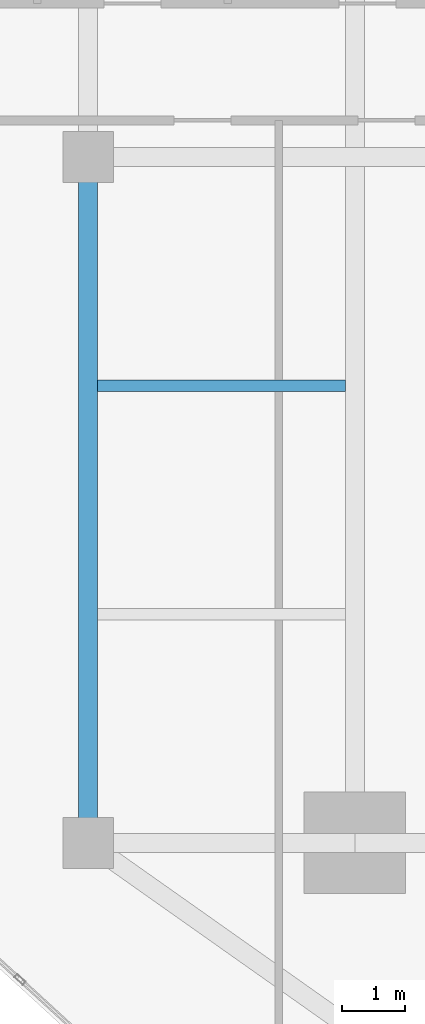
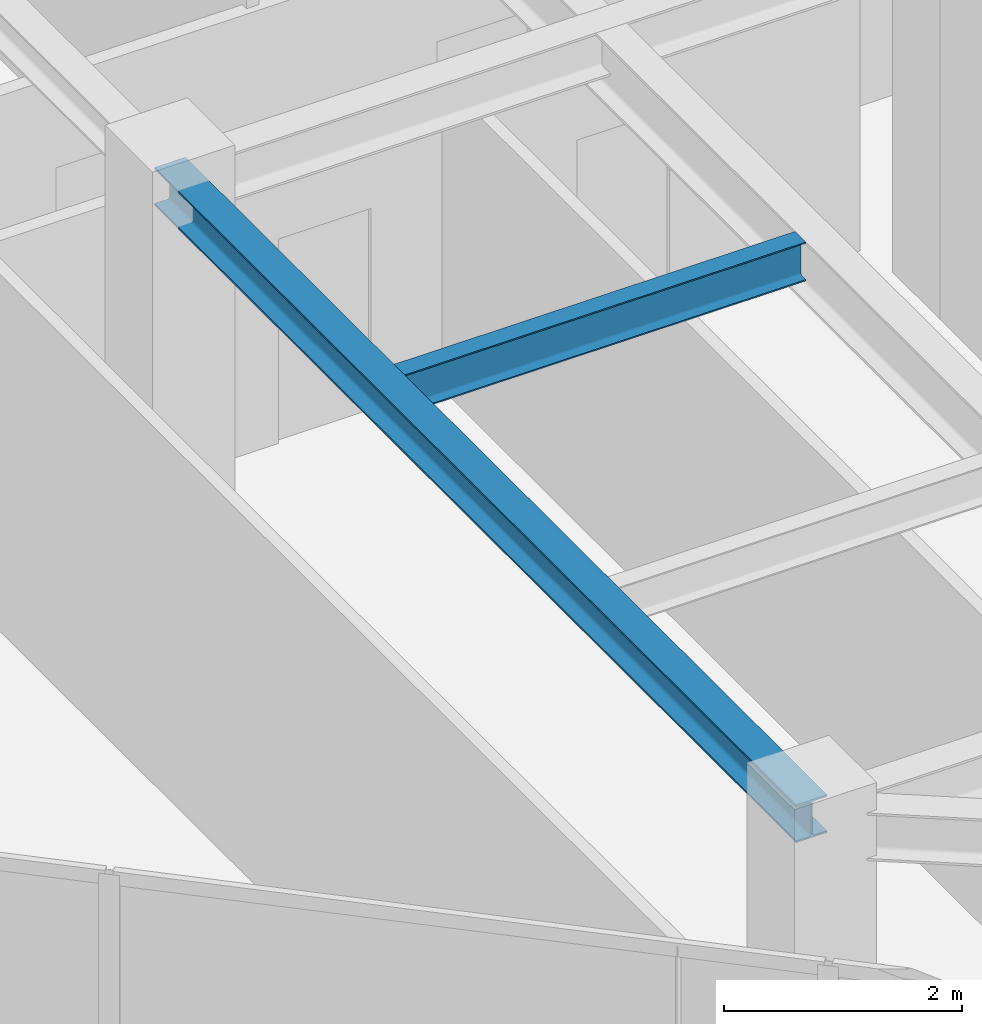
# One storey, part 7 of 26: 2 beams.
"""IFC4 building model written with IfcOpenShell, lengths in metres."""

import ifcopenshell
import ifcopenshell.guid

model = None  # the IFC model being written
_history = None  # IfcOwnerHistory: only IFC2X3 demands one
_inside = {}  # id of a spatial element -> (the spatial element, [elements in it])
_under = {}  # id of a project, library or spatial element -> (it, [spatial elements below it])
_declared = {}  # id of a project -> (the project, [libraries it declares])
_typed = {}  # id of a type object -> (the type object, [elements of that type])
_made_of = {}  # id of a material, layer set ... -> (it, [elements and type objects made of it])


def new_model(schema):
    """Start an empty IFC model of exactly this schema.

    Asked for "IFC4X3", IfcOpenShell would pick the latest addendum, in which some entities
    have other attributes; the version numbers below select the first issue.
    IFC2X3 requires an IfcOwnerHistory on every rooted entity: one is made here for all.
    """
    global model, _history
    if schema == "IFC4X3":
        model = ifcopenshell.file(schema_version=(4, 3, 0, 0))
    else:
        model = ifcopenshell.file(schema=schema)
    _inside.clear()
    _under.clear()
    _declared.clear()
    _typed.clear()
    _made_of.clear()
    _history = None
    if model.schema == "IFC2X3":
        org = make("IfcOrganization", Name="unknown")
        user = make(
            "IfcPersonAndOrganization",
            ThePerson=make("IfcPerson", FamilyName="unknown"),
            TheOrganization=org,
        )
        app = make(
            "IfcApplication",
            ApplicationDeveloper=org,
            Version="unknown",
            ApplicationFullName="unknown",
            ApplicationIdentifier="unknown",
        )
        _history = make(
            "IfcOwnerHistory",
            OwningUser=user,
            OwningApplication=app,
            ChangeAction="ADDED",
            CreationDate=0,
        )
    return model


def make(cls, **values):
    """One entity of the class cls with the attributes given. An attribute that is None is left unset."""
    return model.create_entity(
        cls, **{name: value for name, value in values.items() if value is not None}
    )


def rooted(cls, **values):
    """An entity with a GlobalId (a new one), such as an element, a storey or a relation."""
    return make(cls, GlobalId=ifcopenshell.guid.new(), OwnerHistory=_history, **values)


def si_unit(unit_type, name, prefix=None):
    """IfcSIUnit, for example si_unit("LENGTHUNIT", "METRE", prefix="MILLI")."""
    return make("IfcSIUnit", UnitType=unit_type, Prefix=prefix, Name=name)


def assignment(units):
    """IfcUnitAssignment: the units of a project."""
    return None if units is None else make("IfcUnitAssignment", Units=units)


def point(xyz):
    """IfcCartesianPoint."""
    return None if xyz is None else make("IfcCartesianPoint", Coordinates=xyz)


def direction(xyz):
    """IfcDirection."""
    return None if xyz is None else make("IfcDirection", DirectionRatios=xyz)


def frame(location, z_axis=None, x_axis=None):
    """IfcAxis2Placement3D, a coordinate frame: its origin and axes. An axis left out is left unset."""
    return make(
        "IfcAxis2Placement3D",
        Location=point(location),
        Axis=direction(z_axis),
        RefDirection=direction(x_axis),
    )


def frame_2d(location, x_axis=None):
    """IfcAxis2Placement2D, a coordinate frame in the plane: its origin and x axis."""
    return make(
        "IfcAxis2Placement2D", Location=point(location), RefDirection=direction(x_axis)
    )


def origin():
    """The frame at (0, 0, 0) with its axes left unset."""
    return frame((0.0, 0.0, 0.0))


def origin_2d():
    """The frame at (0, 0) in the plane with its x axis left unset."""
    return frame_2d((0.0, 0.0))


def place(relative_to, where):
    """IfcLocalPlacement: puts the frame where relative to a parent placement (None: the world)."""
    return make(
        "IfcLocalPlacement", PlacementRelTo=relative_to, RelativePlacement=where
    )


def context(
    kind, dimensions, precision=None, world=None, true_north=None, identifier=None
):
    """IfcGeometricRepresentationContext, for example the 3D "Model" context."""
    return make(
        "IfcGeometricRepresentationContext",
        ContextIdentifier=identifier,
        ContextType=kind,
        CoordinateSpaceDimension=dimensions,
        Precision=precision,
        WorldCoordinateSystem=world,
        TrueNorth=true_north,
    )


def subcontext(parent, identifier, kind, view, scale=None):
    """IfcGeometricRepresentationSubContext, for example "Body" below "Model"."""
    return make(
        "IfcGeometricRepresentationSubContext",
        ContextIdentifier=identifier,
        ContextType=kind,
        ParentContext=parent,
        TargetScale=scale,
        TargetView=view,
    )


def project(units=None, contexts=None):
    """IfcProject with its units and contexts."""
    return rooted(
        "IfcProject",
        Name="project",
        RepresentationContexts=contexts,
        UnitsInContext=assignment(units),
    )


def spatial(cls, under=None, at=None, **own):
    """A site, building, storey or space (cls), placed at a placement, below another one or the project."""
    s = rooted(cls, ObjectPlacement=at, **own)
    if under is not None:
        _under.setdefault(under.id(), (under, []))[1].append(s)
    return s


def profile(cls, at=None, kind="AREA", **sizes):
    """A parametric profile (cls). Its sizes go by their IFC names, for example OverallWidth=200.0."""
    return make(cls, ProfileType=kind, Position=at, **sizes)


def i_section(**sizes):
    """IfcIShapeProfileDef."""
    return profile("IfcIShapeProfileDef", **sizes)


def extrude(swept, where, along, depth):
    """IfcExtrudedAreaSolid: the profile swept, set in the frame where, extruded along a direction by depth."""
    return make(
        "IfcExtrudedAreaSolid",
        SweptArea=swept,
        Position=where,
        ExtrudedDirection=direction(along),
        Depth=depth,
    )


def shape(context_of_items, identifier, shape_type, items):
    """IfcShapeRepresentation: the items that make up one representation, for example the "Body"."""
    return make(
        "IfcShapeRepresentation",
        ContextOfItems=context_of_items,
        RepresentationIdentifier=identifier,
        RepresentationType=shape_type,
        Items=items,
    )


def source(mapping_origin, context_of_items, identifier, shape_type, items):
    """IfcRepresentationMap: a shape defined once, which mapped items show again and again."""
    return make(
        "IfcRepresentationMap",
        MappingOrigin=mapping_origin,
        MappedRepresentation=shape(context_of_items, identifier, shape_type, items),
    )


def transform(
    local_origin,
    x_axis=None,
    y_axis=None,
    z_axis=None,
    scale=None,
    scale2=None,
    scale3=None,
    uniform=True,
):
    """IfcCartesianTransformationOperator3D, or its non-uniform kind. x_axis, y_axis, z_axis: its Axis1, 2, 3."""
    if uniform:
        return make(
            "IfcCartesianTransformationOperator3D",
            Axis1=direction(x_axis),
            Axis2=direction(y_axis),
            LocalOrigin=point(local_origin),
            Scale=scale,
            Axis3=direction(z_axis),
        )
    return make(
        "IfcCartesianTransformationOperator3DnonUniform",
        Axis1=direction(x_axis),
        Axis2=direction(y_axis),
        LocalOrigin=point(local_origin),
        Scale=scale,
        Axis3=direction(z_axis),
        Scale2=scale2,
        Scale3=scale3,
    )


def mapped(mapping_source, mapping_target):
    """IfcMappedItem: shows the shape of a source again, moved by a transform."""
    return make(
        "IfcMappedItem", MappingSource=mapping_source, MappingTarget=mapping_target
    )


def material(Name=None, Category=None):
    """IfcMaterial."""
    return make("IfcMaterial", Name=Name, Category=Category)


def material_profile(
    of_material, cross_section, Name=None, Category=None, Priority=None
):
    """IfcMaterialProfile: a cross section and its material."""
    return make(
        "IfcMaterialProfile",
        Name=Name,
        Material=of_material,
        Profile=cross_section,
        Priority=Priority,
        Category=Category,
    )


def profile_set(profiles, Name=None, composite=None):
    """IfcMaterialProfileSet."""
    return make(
        "IfcMaterialProfileSet",
        Name=Name,
        MaterialProfiles=profiles,
        CompositeProfile=composite,
    )


def made_of(thing, what):
    """Note that an element or type object is made of a material, layer set ...; save() writes the relation."""
    if what is not None:
        _made_of.setdefault(what.id(), (what, []))[1].append(thing)
    return thing


def type_object(cls, material=None, **own):
    """A type object (cls), such as IfcWallType, which elements share."""
    return made_of(rooted(cls, **own), material)


def type_shapes(of_type, sources):
    """Give a type object the sources (RepresentationMaps) that its elements show as mapped items."""
    of_type.RepresentationMaps = sources


def element(
    cls,
    number,
    at=None,
    inside=None,
    cuts=None,
    type_object=None,
    material=None,
    context=None,
    identifier="Body",
    shape_type=None,
    held_by="IfcProductDefinitionShape",
    body=None,
    shapes=None,
    **own,
):
    """One element of the class cls, such as IfcWall. Its Tag is "e" and its number.

    at: its placement. inside: the storey or other place that contains it. cuts: it is an
    opening in that element (IfcRelVoidsElement). A single representation is given by context,
    identifier, shape_type and body (its items); several are given by shapes. held_by: the class
    of the entity that holds the representations. save() writes the other relations.
    """
    e = rooted(cls, Tag="e%d" % number, ObjectPlacement=at, **own)
    if body is not None:
        shapes = [shape(context, identifier, shape_type, body)]
    if shapes is not None:
        e.Representation = make(held_by, Representations=shapes)
    if inside is not None:
        _inside.setdefault(inside.id(), (inside, []))[1].append(e)
    if cuts is not None:
        rooted(
            "IfcRelVoidsElement", RelatingBuildingElement=cuts, RelatedOpeningElement=e
        )
    if type_object is not None:
        _typed.setdefault(type_object.id(), (type_object, []))[1].append(e)
    return made_of(e, material)


def aggregate(whole, parts):
    """IfcRelAggregates: a whole, such as a stair, and the parts it consists of."""
    return rooted("IfcRelAggregates", RelatingObject=whole, RelatedObjects=parts)


def save(model, path):
    """Write the relations noted so far, then the file.

    IfcRelAggregates (storeys below a building ...), IfcRelContainedInSpatialStructure (elements
    in a storey), IfcRelDefinesByType, IfcRelAssociatesMaterial and IfcRelDeclares: one each for
    every whole, place, type object, material and project.
    """
    for whole, parts in _under.values():
        aggregate(whole, parts)
    for where, things in _inside.values():
        rooted(
            "IfcRelContainedInSpatialStructure",
            RelatedElements=things,
            RelatingStructure=where,
        )
    for kind, things in _typed.values():
        rooted("IfcRelDefinesByType", RelatedObjects=things, RelatingType=kind)
    for what, things in _made_of.values():
        rooted("IfcRelAssociatesMaterial", RelatedObjects=things, RelatingMaterial=what)
    for by, libraries in _declared.values():
        rooted("IfcRelDeclares", RelatingContext=by, RelatedDefinitions=libraries)
    model.write(path)


model = new_model("IFC4")

# Units and contexts
model_context = context("Model", 3, precision=1e-05, world=origin(), true_north=direction((0.0, 1.0)))
body_context = subcontext(model_context, "Body", "Model", "MODEL_VIEW")
ifc_project = project(units=[si_unit("LENGTHUNIT", "METRE"), si_unit("AREAUNIT", "SQUARE_METRE"), si_unit("VOLUMEUNIT", "CUBIC_METRE"), si_unit("PLANEANGLEUNIT", "RADIAN"), si_unit("MASSUNIT", "GRAM", prefix="KILO")], contexts=[model_context])

# Site, building, storey
site_placement = place(None, origin())
site = spatial("IfcSite", under=ifc_project, at=site_placement, CompositionType="ELEMENT")
building_placement = place(site_placement, origin())
building = spatial("IfcBuilding", under=site, at=building_placement, Name="Krantzveldt Concourse Tower", CompositionType="ELEMENT")
storey_placement = place(building_placement, frame((0.0, 0.0, 219.14990234375)))
storey = spatial("IfcBuildingStorey", under=building, at=storey_placement, Name="L53", CompositionType="ELEMENT", Elevation=219.14990234375)

# Beams
ifc_material = material(Name="Steel S355JR", Category="steel")
ifc_material_profile_1 = material_profile(ifc_material, i_section(OverallWidth=0.300048828125, OverallDepth=0.389892578125, WebThickness=0.010986328125, FlangeThickness=0.01904296875, FilletRadius=0.027099609375, at=origin_2d()), Name="Steel S355JR", Category="steel")
ifc_profile_set_1 = profile_set([ifc_material_profile_1], Name="Steel S355JR - HEA 400")
beam_type_1 = type_object("IfcBeamType", Name="BM-SP-HEA400", PredefinedType="SPANDREL", material=ifc_profile_set_1)
shared_shape_1 = source(origin(), body_context, "Body", "SweptSolid", [
    extrude(i_section(OverallWidth=0.300048828125, OverallDepth=0.389892578125, WebThickness=0.010986328125, FlangeThickness=0.01904296875, FilletRadius=0.027099609375, at=origin_2d()), origin(), (0.0, 0.0, 1.0), 10.800048828125),
])
type_shapes(beam_type_1, [shared_shape_1])
beam_1_placement = place(storey_placement, frame((21.0, 15.89990234375, 3.47509765625), z_axis=(0.0, 1.0, 0.0), x_axis=(-1.0, 0.0, 0.0)))
element("IfcBeam", 1, at=beam_1_placement, inside=storey, type_object=beam_type_1, Name="L53 Tower Girder SP-R01", PredefinedType="SPANDREL", context=body_context, shape_type="MappedRepresentation", body=[
    mapped(shared_shape_1, transform((0.0, 0.0, 0.0), x_axis=(1.0, 0.0, 0.0), y_axis=(0.0, 1.0, 0.0), z_axis=(0.0, 0.0, 1.0), scale=1.0)),
])
ifc_material_profile_2 = material_profile(ifc_material, i_section(OverallWidth=0.179931640625, OverallDepth=0.39990234375, WebThickness=0.008544921875, FlangeThickness=0.013427734375, FilletRadius=0.02099609375, at=origin_2d()), Name="Steel S355JR", Category="steel")
ifc_profile_set_2 = profile_set([ifc_material_profile_2], Name="Steel S355JR - IPE 400")
beam_type_2 = type_object("IfcBeamType", Name="BM-J-IPE400", PredefinedType="JOIST", material=ifc_profile_set_2)
shared_shape_2 = source(origin(), body_context, "Body", "SweptSolid", [
    extrude(i_section(OverallWidth=0.179931640625, OverallDepth=0.39990234375, WebThickness=0.008544921875, FlangeThickness=0.013427734375, FilletRadius=0.02099609375, at=origin_2d()), origin(), (0.0, 0.0, 1.0), 3.900146484375),
])
type_shapes(beam_type_2, [shared_shape_2])
beam_2_placement = place(storey_placement, frame((21.14990234375, 23.10009765625, 3.47021484375), z_axis=(1.0, 0.0, 0.0), x_axis=(0.0, 1.0, 0.0)))
element("IfcBeam", 2, at=beam_2_placement, inside=storey, type_object=beam_type_2, Name="L53 Secondary Floor Joist JW-2", PredefinedType="JOIST", context=body_context, shape_type="MappedRepresentation", body=[
    mapped(shared_shape_2, transform((0.0, 0.0, 0.0), x_axis=(1.0, 0.0, 0.0), y_axis=(0.0, 1.0, 0.0), z_axis=(0.0, 0.0, 1.0), scale=1.0)),
])

save(model, "model.ifc")
